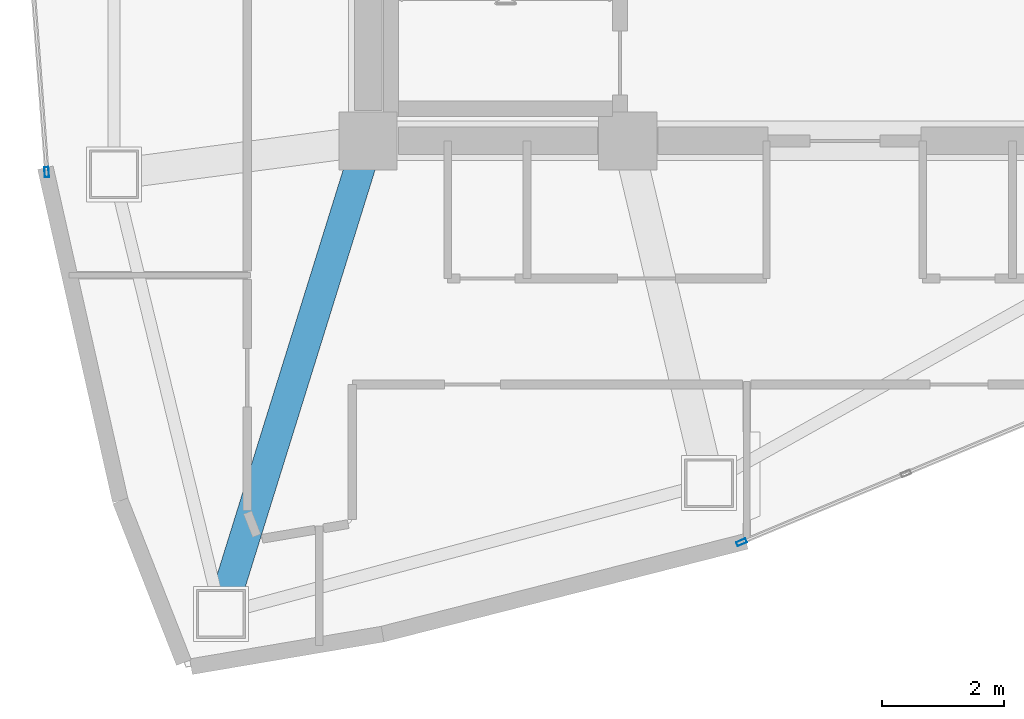
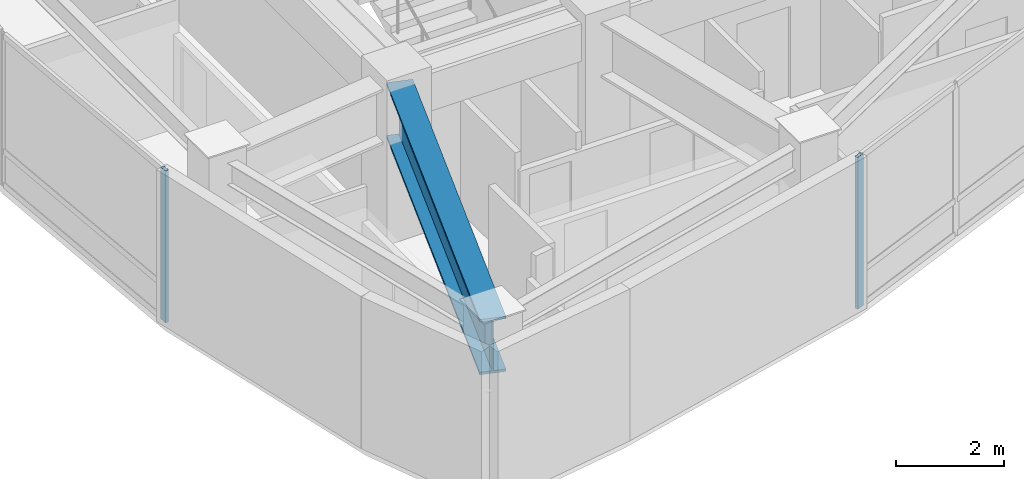
# One storey, part 2 of 15: 2 members, 1 beam, 2 elements without a shape of their own.
"""IFC4 building model written with IfcOpenShell, lengths in metres."""

from ifc_helpers import new_model, si_unit, direction, frame, origin, origin_2d, place, context, subcontext, project, spatial, hollow_rectangle, i_section, extrude, material, layer, layer_set, material_profile, profile_set, type_object, element, aggregate, save


model = new_model("IFC4")

# Units and contexts
model_context = context("Model", 3, precision=1e-05, world=origin(), true_north=direction((0.0, 1.0)))
body_context = subcontext(model_context, "Body", "Model", "MODEL_VIEW")
ifc_project = project(units=[si_unit("LENGTHUNIT", "METRE"), si_unit("AREAUNIT", "SQUARE_METRE"), si_unit("VOLUMEUNIT", "CUBIC_METRE"), si_unit("PLANEANGLEUNIT", "RADIAN"), si_unit("MASSUNIT", "GRAM", prefix="KILO")], contexts=[model_context])

# Site, building, storey
site_placement = place(None, origin())
site = spatial("IfcSite", under=ifc_project, at=site_placement, CompositionType="ELEMENT")
building_placement = place(site_placement, origin())
building = spatial("IfcBuilding", under=site, at=building_placement, Name="Menara Vayukalpa", CompositionType="ELEMENT")
storey_placement = place(building_placement, frame((0.0, 0.0, 295.5)))
storey = spatial("IfcBuildingStorey", under=building, at=storey_placement, Name="L75", CompositionType="ELEMENT", Elevation=295.5)

# Beam
ifc_material_1 = material(Name="Steel S460", Category="steel")
ifc_material_profile_1 = material_profile(ifc_material_1, i_section(OverallWidth=0.5, OverallDepth=1.25, WebThickness=0.028076171875, FlangeThickness=0.054931640625, at=origin_2d()), Name="WG 1250x500x28x55")
ifc_profile_set_1 = profile_set([ifc_material_profile_1], Name="Steel S460")
beam_type = type_object("IfcBeamType", Name="BM-TG2", PredefinedType="BEAM", material=ifc_profile_set_1)
beam_placement = place(storey_placement, frame((17.7255859375, 16.961181640625, 2.81494140625), z_axis=(-0.297213792842, -0.954810955815, 0.0), x_axis=(0.954810955815, -0.297213792842, 0.0)))
element("IfcBeam", 1, at=beam_placement, inside=storey, type_object=beam_type, Name="L75 Primary Radial Girder RG07", PredefinedType="BEAM", context=body_context, shape_type="SweptSolid", body=[
    extrude(i_section(OverallWidth=0.5, OverallDepth=1.25, WebThickness=0.028076171875, FlangeThickness=0.054931640625, at=origin_2d()), origin(), (0.0, 0.0, 1.0), 7.861083984375),
])

# Curtain wall, member
ifc_material_2 = material(Name="Anodised Terracotta Aluminium Alloy 6063-T6", Category="masonry")
ifc_layer = layer(ifc_material_2, 0.1650390625)
ifc_layer_set = layer_set([ifc_layer], Name="Anodised Terracotta Aluminium Alloy 6063-T6")
curtain_wall_type = type_object("IfcCurtainWallType", Name="CW-CW6", PredefinedType="USERDEFINED", material=ifc_layer_set)
curtain_wall_1_placement = place(storey_placement, origin())
curtain_wall_1 = element("IfcCurtainWall", 2, at=curtain_wall_1_placement, inside=storey, type_object=curtain_wall_type, Name="L75 Observation and Executive Curtain Wall CW6 11", ObjectType="UNITISED", PredefinedType="USERDEFINED")
ifc_material_3 = material(Name="Anodised Terracotta Aluminium Alloy 6063-T6", Category="masonry")
ifc_material_profile_2 = material_profile(ifc_material_3, hollow_rectangle(XDim=0.070068359375, YDim=0.1650390625, WallThickness=0.00390625, at=origin_2d()), Name="ALU 70x165x4")
ifc_profile_set_2 = profile_set([ifc_material_profile_2], Name="Anodised Terracotta Aluminium Alloy 6063-T6")
member_type = type_object("IfcMemberType", Name="CWM-CW6", PredefinedType="MULLION", material=ifc_profile_set_2)
member_1_placement = place(storey_placement, frame((12.536376953125, 16.688232421875, 0.0), z_axis=(0.0, 0.0, 1.0), x_axis=(0.997199344663, 0.074789484574, 0.0)))
member_1 = element("IfcMember", 3, at=member_1_placement, type_object=member_type, Name="CW6 mullion 2", PredefinedType="MULLION", context=body_context, shape_type="SweptSolid", body=[
    extrude(hollow_rectangle(XDim=0.070068359375, YDim=0.1650390625, WallThickness=0.00390625, at=origin_2d()), origin(), (0.0, 0.0, 1.0), 3.43994140625),
])
aggregate(curtain_wall_1, [member_1])

curtain_wall_2_placement = place(storey_placement, origin())
curtain_wall_2 = element("IfcCurtainWall", 4, at=curtain_wall_2_placement, inside=storey, type_object=curtain_wall_type, Name="L75 Observation and Executive Curtain Wall CW6 16", ObjectType="UNITISED", PredefinedType="USERDEFINED")
member_2_placement = place(storey_placement, frame((23.913330078125, 10.62841796875, 0.0), z_axis=(0.0, 0.0, 1.0), x_axis=(-0.385899911703, 0.922540653927, 0.0)))
member_2 = element("IfcMember", 5, at=member_2_placement, type_object=member_type, Name="CW6 mullion 1", PredefinedType="MULLION", context=body_context, shape_type="SweptSolid", body=[
    extrude(hollow_rectangle(XDim=0.070068359375, YDim=0.1650390625, WallThickness=0.00390625, at=origin_2d()), origin(), (0.0, 0.0, 1.0), 3.43994140625),
])
aggregate(curtain_wall_2, [member_2])

save(model, "model.ifc")
